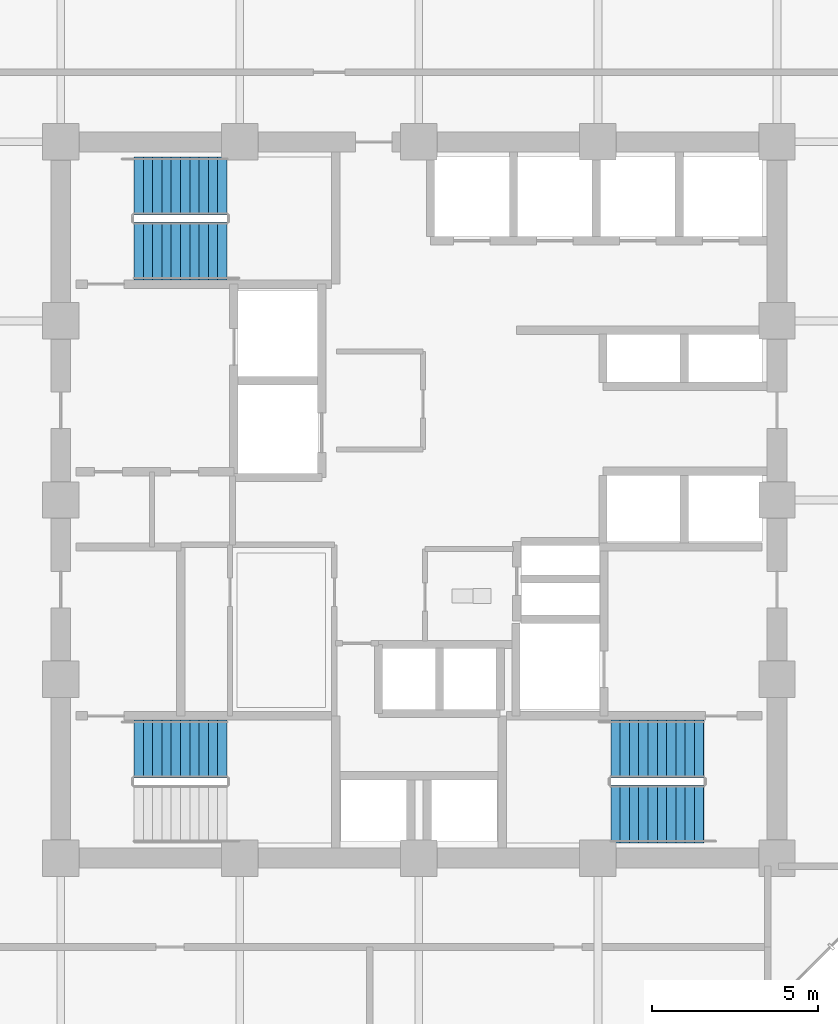
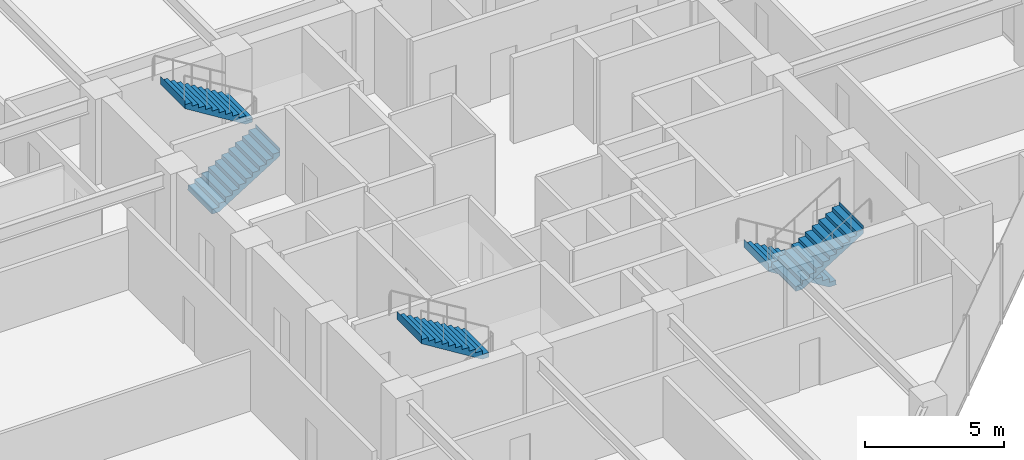
# One storey, part 25 of 29: 5 stair flights, 3 elements without a shape of their own.
"""IFC4 building model written with IfcOpenShell, lengths in metres."""

from ifc_helpers import new_model, si_unit, direction, frame, origin, place, context, subcontext, project, spatial, polyline, outline, extrude, material, type_object, element, aggregate, save


model = new_model("IFC4")

# Units and contexts
model_context = context("Model", 3, precision=1e-05, world=origin(), true_north=direction((0.0, 1.0)))
body_context = subcontext(model_context, "Body", "Model", "MODEL_VIEW")
ifc_project = project(units=[si_unit("LENGTHUNIT", "METRE"), si_unit("AREAUNIT", "SQUARE_METRE"), si_unit("VOLUMEUNIT", "CUBIC_METRE"), si_unit("PLANEANGLEUNIT", "RADIAN"), si_unit("MASSUNIT", "GRAM", prefix="KILO")], contexts=[model_context])

# Site, building, storey
site_placement = place(None, origin())
site = spatial("IfcSite", under=ifc_project, at=site_placement, CompositionType="ELEMENT")
building_placement = place(site_placement, origin())
building = spatial("IfcBuilding", under=site, at=building_placement, Name="Surkhivell Harbour Commons", CompositionType="ELEMENT")
storey_placement = place(building_placement, frame((0.0, 0.0, 158.25)))
storey = spatial("IfcBuildingStorey", under=building, at=storey_placement, Name="L41", CompositionType="ELEMENT", Elevation=158.25)

# Stair, stair flights
ifc_material = material(Name="Precast concrete C45/55", Category="concrete")
stair_type = type_object("IfcStairType", Name="STR-DL-375", PredefinedType="HALF_TURN_STAIR", material=ifc_material)
stair_1_placement = place(storey_placement, origin())
stair_1 = element("IfcStair", 1, at=stair_1_placement, inside=storey, type_object=stair_type, Name="L41 Core Exit Stair ST1", PredefinedType="HALF_TURN_STAIR")
stair_flight_type = type_object("IfcStairFlightType", Name="STF-DL-375", PredefinedType="STRAIGHT", material=ifc_material)
stair_flight_1_placement = place(storey_placement, frame((-8.590087890625, 7.514892578125, 0.0), z_axis=(0.0, 0.0, 1.0), x_axis=(1.0, 0.0, 0.0)))
stair_flight_1 = element("IfcStairFlight", 2, at=stair_flight_1_placement, type_object=stair_flight_type, Name="ST1 flight 1", NumberOfRisers=11, NumberOfTreads=10, PredefinedType="STRAIGHT", RiserHeight=0.170454545, TreadLength=0.28, context=body_context, shape_type="SweptSolid", body=[
    extrude(outline(polyline([(-0.0029296875, -0.034912109375), (-0.0029296875, 0.0), (0.0, 0.0), (0.0, 0.17041015625), (0.280029296875, 0.17041015625), (0.280029296875, 0.3408203125), (0.56005859375, 0.3408203125), (0.56005859375, 0.511474609375), (0.840087890625, 0.511474609375), (0.840087890625, 0.681884765625), (1.1201171875, 0.681884765625), (1.1201171875, 0.852294921875), (1.39990234375, 0.852294921875), (1.39990234375, 1.022705078125), (1.679931640625, 1.022705078125), (1.679931640625, 1.193115234375), (1.9599609375, 1.193115234375), (1.9599609375, 1.363525390625), (2.239990234375, 1.363525390625), (2.239990234375, 1.5341796875), (2.52001953125, 1.5341796875), (2.52001953125, 1.70458984375), (2.800048828125, 1.70458984375), (2.800048828125, 1.875), (2.802978515625, 1.875), (2.802978515625, 1.529052734375), (0.288330078125, -0.034912109375), (-0.0029296875, -0.034912109375)])), frame((0.0, 0.875, 0.0), z_axis=(0.0, -1.0, 0.0), x_axis=(1.0, 0.0, 0.0)), (0.0, 0.0, 1.0), 1.75),
])
stair_flight_2_placement = place(storey_placement, frame((-5.7900390625, 9.465087890625, 1.875), z_axis=(0.0, 0.0, 1.0), x_axis=(-1.0, 0.0, 0.0)))
stair_flight_2 = element("IfcStairFlight", 3, at=stair_flight_2_placement, type_object=stair_flight_type, Name="ST1 flight 2", NumberOfRisers=11, NumberOfTreads=10, PredefinedType="STRAIGHT", RiserHeight=0.170454545, TreadLength=0.28, context=body_context, shape_type="SweptSolid", body=[
    extrude(outline(polyline([(-0.0029296875, -0.034912109375), (-0.0029296875, 0.0), (0.0, 0.0), (0.0, 0.17041015625), (0.280029296875, 0.17041015625), (0.280029296875, 0.3408203125), (0.56005859375, 0.3408203125), (0.56005859375, 0.511474609375), (0.840087890625, 0.511474609375), (0.840087890625, 0.681884765625), (1.1201171875, 0.681884765625), (1.1201171875, 0.852294921875), (1.39990234375, 0.852294921875), (1.39990234375, 1.022705078125), (1.679931640625, 1.022705078125), (1.679931640625, 1.193115234375), (1.9599609375, 1.193115234375), (1.9599609375, 1.363525390625), (2.239990234375, 1.363525390625), (2.239990234375, 1.5341796875), (2.52001953125, 1.5341796875), (2.52001953125, 1.70458984375), (2.800048828125, 1.70458984375), (2.800048828125, 1.875), (2.802978515625, 1.875), (2.802978515625, 1.529052734375), (0.288330078125, -0.034912109375), (-0.0029296875, -0.034912109375)])), frame((0.0, 0.875, 0.0), z_axis=(0.0, -1.0, 0.0), x_axis=(1.0, 0.0, 0.0)), (0.0, 0.0, 1.0), 1.75),
])
aggregate(stair_1, [stair_flight_1, stair_flight_2])

stair_2_placement = place(storey_placement, origin())
stair_2 = element("IfcStair", 4, at=stair_2_placement, inside=storey, type_object=stair_type, Name="L41 Core Exit Stair ST2", PredefinedType="HALF_TURN_STAIR")
stair_flight_3_placement = place(storey_placement, frame((8.590087890625, -7.514892578125, 0.0), z_axis=(0.0, 0.0, 1.0), x_axis=(-1.0, 0.0, 0.0)))
stair_flight_3 = element("IfcStairFlight", 5, at=stair_flight_3_placement, type_object=stair_flight_type, Name="ST2 flight 1", NumberOfRisers=11, NumberOfTreads=10, PredefinedType="STRAIGHT", RiserHeight=0.170454545, TreadLength=0.28, context=body_context, shape_type="SweptSolid", body=[
    extrude(outline(polyline([(-0.0029296875, -0.034912109375), (-0.0029296875, 0.0), (0.0, 0.0), (0.0, 0.17041015625), (0.280029296875, 0.17041015625), (0.280029296875, 0.3408203125), (0.56005859375, 0.3408203125), (0.56005859375, 0.511474609375), (0.840087890625, 0.511474609375), (0.840087890625, 0.681884765625), (1.1201171875, 0.681884765625), (1.1201171875, 0.852294921875), (1.39990234375, 0.852294921875), (1.39990234375, 1.022705078125), (1.679931640625, 1.022705078125), (1.679931640625, 1.193115234375), (1.9599609375, 1.193115234375), (1.9599609375, 1.363525390625), (2.239990234375, 1.363525390625), (2.239990234375, 1.5341796875), (2.52001953125, 1.5341796875), (2.52001953125, 1.70458984375), (2.800048828125, 1.70458984375), (2.800048828125, 1.875), (2.802978515625, 1.875), (2.802978515625, 1.529052734375), (0.288330078125, -0.034912109375), (-0.0029296875, -0.034912109375)])), frame((0.0, 0.875, 0.0), z_axis=(0.0, -1.0, 0.0), x_axis=(1.0, 0.0, 0.0)), (0.0, 0.0, 1.0), 1.75),
])
stair_flight_4_placement = place(storey_placement, frame((5.7900390625, -9.465087890625, 1.875), z_axis=(0.0, 0.0, 1.0), x_axis=(1.0, 0.0, 0.0)))
stair_flight_4 = element("IfcStairFlight", 6, at=stair_flight_4_placement, type_object=stair_flight_type, Name="ST2 flight 2", NumberOfRisers=11, NumberOfTreads=10, PredefinedType="STRAIGHT", RiserHeight=0.170454545, TreadLength=0.28, context=body_context, shape_type="SweptSolid", body=[
    extrude(outline(polyline([(-0.0029296875, -0.034912109375), (-0.0029296875, 0.0), (0.0, 0.0), (0.0, 0.17041015625), (0.280029296875, 0.17041015625), (0.280029296875, 0.3408203125), (0.56005859375, 0.3408203125), (0.56005859375, 0.511474609375), (0.840087890625, 0.511474609375), (0.840087890625, 0.681884765625), (1.1201171875, 0.681884765625), (1.1201171875, 0.852294921875), (1.39990234375, 0.852294921875), (1.39990234375, 1.022705078125), (1.679931640625, 1.022705078125), (1.679931640625, 1.193115234375), (1.9599609375, 1.193115234375), (1.9599609375, 1.363525390625), (2.239990234375, 1.363525390625), (2.239990234375, 1.5341796875), (2.52001953125, 1.5341796875), (2.52001953125, 1.70458984375), (2.800048828125, 1.70458984375), (2.800048828125, 1.875), (2.802978515625, 1.875), (2.802978515625, 1.529052734375), (0.288330078125, -0.034912109375), (-0.0029296875, -0.034912109375)])), frame((0.0, 0.875, 0.0), z_axis=(0.0, -1.0, 0.0), x_axis=(1.0, 0.0, 0.0)), (0.0, 0.0, 1.0), 1.75),
])
aggregate(stair_2, [stair_flight_3, stair_flight_4])

# Stair, stair flight
stair_3_placement = place(storey_placement, origin())
stair_3 = element("IfcStair", 7, at=stair_3_placement, inside=storey, type_object=stair_type, Name="L41 Core Exit Stair ST3", PredefinedType="HALF_TURN_STAIR")
stair_flight_5_placement = place(storey_placement, frame((-5.7900390625, -7.514892578125, 1.875), z_axis=(0.0, 0.0, 1.0), x_axis=(-1.0, 0.0, 0.0)))
stair_flight_5 = element("IfcStairFlight", 8, at=stair_flight_5_placement, type_object=stair_flight_type, Name="ST3 flight 2", NumberOfRisers=11, NumberOfTreads=10, PredefinedType="STRAIGHT", RiserHeight=0.170454545, TreadLength=0.28, context=body_context, shape_type="SweptSolid", body=[
    extrude(outline(polyline([(-0.0029296875, -0.034912109375), (-0.0029296875, 0.0), (0.0, 0.0), (0.0, 0.17041015625), (0.280029296875, 0.17041015625), (0.280029296875, 0.3408203125), (0.56005859375, 0.3408203125), (0.56005859375, 0.511474609375), (0.840087890625, 0.511474609375), (0.840087890625, 0.681884765625), (1.1201171875, 0.681884765625), (1.1201171875, 0.852294921875), (1.39990234375, 0.852294921875), (1.39990234375, 1.022705078125), (1.679931640625, 1.022705078125), (1.679931640625, 1.193115234375), (1.9599609375, 1.193115234375), (1.9599609375, 1.363525390625), (2.239990234375, 1.363525390625), (2.239990234375, 1.5341796875), (2.52001953125, 1.5341796875), (2.52001953125, 1.70458984375), (2.800048828125, 1.70458984375), (2.800048828125, 1.875), (2.802978515625, 1.875), (2.802978515625, 1.529052734375), (0.288330078125, -0.034912109375), (-0.0029296875, -0.034912109375)])), frame((0.0, 0.875, 0.0), z_axis=(0.0, -1.0, 0.0), x_axis=(1.0, 0.0, 0.0)), (0.0, 0.0, 1.0), 1.75),
])
aggregate(stair_3, [stair_flight_5])

save(model, "model.ifc")
